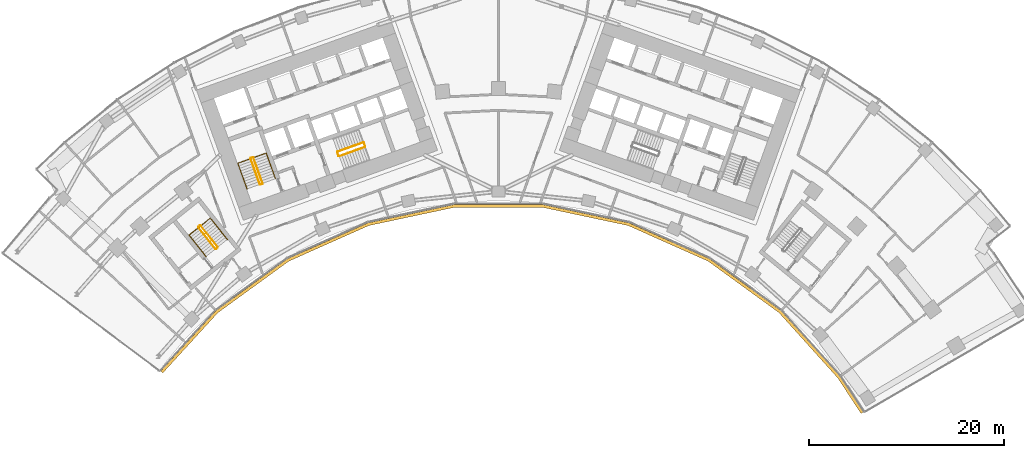
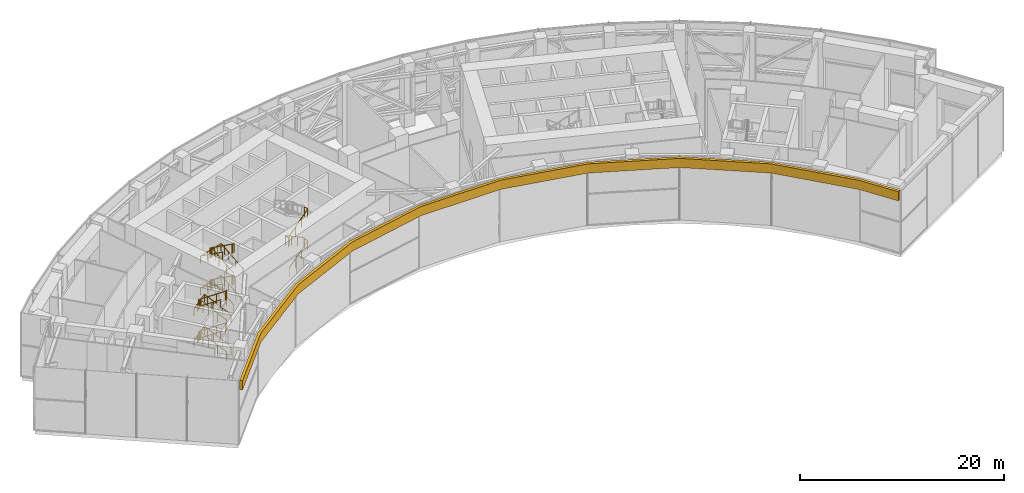
# One storey, part 28 of 30: 15 railings, 1 covering.
"""IFC4 building model written with IfcOpenShell, lengths in metres."""

from ifc_helpers import new_model, si_unit, direction, frame, origin, origin_2d, place, context, subcontext, project, spatial, polyline, circle, outline, extrude, material, layer, layer_set, type_object, element, save


model = new_model("IFC4")

# Units and contexts
model_context = context("Model", 3, precision=1e-05, world=origin(), true_north=direction((0.0, 1.0)))
body_context = subcontext(model_context, "Body", "Model", "MODEL_VIEW")
ifc_project = project(units=[si_unit("LENGTHUNIT", "METRE"), si_unit("AREAUNIT", "SQUARE_METRE"), si_unit("VOLUMEUNIT", "CUBIC_METRE"), si_unit("PLANEANGLEUNIT", "RADIAN"), si_unit("MASSUNIT", "GRAM", prefix="KILO")], contexts=[model_context])

# Site, building, storey
site_placement = place(None, origin())
site = spatial("IfcSite", under=ifc_project, at=site_placement, CompositionType="ELEMENT")
building_placement = place(site_placement, origin())
building = spatial("IfcBuilding", under=site, at=building_placement, Name="Stone Belt Terrace Tower", CompositionType="ELEMENT")
storey_placement = place(building_placement, frame((0.0, 0.0, 136.39990234375)))
storey = spatial("IfcBuildingStorey", under=building, at=storey_placement, Name="L33", CompositionType="ELEMENT", Elevation=136.39990234375)

# Railings
ifc_material_1 = material(Name="Structural steel C345", Category="steel")
railing_type_1 = type_object("IfcRailingType", Name="Stair guard 1100", PredefinedType="GUARDRAIL", material=ifc_material_1)
railing_1_placement = place(storey_placement, frame((-24.2119140625, 45.276123046875, 0.1728515625)))
element("IfcRailing", 1, at=railing_1_placement, inside=storey, type_object=railing_type_1, Name="L33 ST1A stair guard 1", PredefinedType="GUARDRAIL", context=body_context, shape_type="SweptSolid", body=[
    extrude(circle(Radius=0.02392578125, at=origin_2d()), frame((0.0, 0.0, 1.076171875), z_axis=(-0.288228637646, 0.800791768495, 0.525030280985), x_axis=(-0.940908529223, -0.338660803216, 0.0)), (0.0, 0.0, 1.0), 3.289794921875),
    extrude(circle(Radius=0.02392578125, at=origin_2d()), frame((-0.9482421875, 2.634521484375, 2.80322265625), z_axis=(-0.905209821074, 0.424964916, 0.0), x_axis=(-0.424964916, -0.905209821074, 0.0)), (0.0, 0.0, 1.0), 0.070556640625),
    extrude(circle(Radius=0.02392578125, at=origin_2d()), frame((-1.01220703125, 2.66455078125, 2.80322265625), z_axis=(-0.941105063269, -0.338114270461, 0.0), x_axis=(0.338114270461, -0.941105063269, 0.0)), (0.0, 0.0, 1.0), 0.199951171875),
    extrude(circle(Radius=0.02099609375, at=origin_2d()), origin(), (0.0, 0.0, 1.0), 1.052001953125),
    extrude(circle(Radius=0.02099609375, at=origin_2d()), frame((-0.316162109375, 0.878173828125, 0.57568359375)), (0.0, 0.0, 1.0), 1.052001953125),
    extrude(circle(Radius=0.02099609375, at=origin_2d()), frame((-0.632080078125, 1.75634765625, 1.151611328125)), (0.0, 0.0, 1.0), 1.052001953125),
    extrude(circle(Radius=0.02099609375, at=origin_2d()), frame((-0.9482421875, 2.634521484375, 1.727294921875)), (0.0, 0.0, 1.0), 1.052001953125),
    extrude(circle(Radius=0.02099609375, at=origin_2d()), frame((-1.01220703125, 2.66455078125, 1.727294921875)), (0.0, 0.0, 1.0), 1.052001953125),
    extrude(circle(Radius=0.02099609375, at=origin_2d()), frame((-1.200439453125, 2.596923828125, 1.727294921875)), (0.0, 0.0, 1.0), 1.052001953125),
])
railing_2_placement = place(storey_placement, frame((-25.4423828125, 47.80908203125, 2.07275390625)))
element("IfcRailing", 2, at=railing_2_placement, inside=storey, type_object=railing_type_1, Name="L33 ST1A stair guard 2", PredefinedType="GUARDRAIL", context=body_context, shape_type="SweptSolid", body=[
    extrude(circle(Radius=0.02392578125, at=origin_2d()), frame((0.0, 0.0, 1.076171875), z_axis=(0.288228637646, -0.800791768495, 0.525030280985), x_axis=(0.940908529223, 0.338660803216, 0.0)), (0.0, 0.0, 1.0), 3.289794921875),
    extrude(circle(Radius=0.02392578125, at=origin_2d()), frame((0.9482421875, -2.634521484375, 2.80322265625), z_axis=(0.903878284585, -0.427789722475, 0.0), x_axis=(0.427789722475, 0.903878284585, 0.0)), (0.0, 0.0, 1.0), 0.07080078125),
    extrude(circle(Radius=0.02392578125, at=origin_2d()), frame((1.01220703125, -2.664794921875, 2.80322265625), z_axis=(0.940575576748, 0.339584429008, 0.0), x_axis=(-0.339584429008, 0.940575576748, 0.0)), (0.0, 0.0, 1.0), 0.199951171875),
    extrude(circle(Radius=0.02099609375, at=origin_2d()), origin(), (0.0, 0.0, 1.0), 1.052001953125),
    extrude(circle(Radius=0.02099609375, at=origin_2d()), frame((0.316162109375, -0.878173828125, 0.57568359375)), (0.0, 0.0, 1.0), 1.052001953125),
    extrude(circle(Radius=0.02099609375, at=origin_2d()), frame((0.632080078125, -1.75634765625, 1.151611328125)), (0.0, 0.0, 1.0), 1.052001953125),
    extrude(circle(Radius=0.02099609375, at=origin_2d()), frame((0.9482421875, -2.634521484375, 1.727294921875)), (0.0, 0.0, 1.0), 1.052001953125),
    extrude(circle(Radius=0.02099609375, at=origin_2d()), frame((1.01220703125, -2.664794921875, 1.727294921875)), (0.0, 0.0, 1.0), 1.052001953125),
    extrude(circle(Radius=0.02099609375, at=origin_2d()), frame((1.2001953125, -2.596923828125, 1.727294921875)), (0.0, 0.0, 1.0), 1.052001953125),
])
railing_3_placement = place(storey_placement, frame((-24.2119140625, 45.276123046875, 3.972900390625)))
element("IfcRailing", 3, at=railing_3_placement, inside=storey, type_object=railing_type_1, Name="L33 ST1A stair guard 3", PredefinedType="GUARDRAIL", context=body_context, shape_type="SweptSolid", body=[
    extrude(circle(Radius=0.02392578125, at=origin_2d()), frame((0.0, 0.0, 1.076171875), z_axis=(-0.288228637646, 0.800791768495, 0.525030280985), x_axis=(-0.940908529223, -0.338660803216, 0.0)), (0.0, 0.0, 1.0), 3.289794921875),
    extrude(circle(Radius=0.02392578125, at=origin_2d()), frame((-0.9482421875, 2.634521484375, 2.80322265625), z_axis=(-0.905209821074, 0.424964916, 0.0), x_axis=(-0.424964916, -0.905209821074, 0.0)), (0.0, 0.0, 1.0), 0.070556640625),
    extrude(circle(Radius=0.02392578125, at=origin_2d()), frame((-1.01220703125, 2.66455078125, 2.80322265625), z_axis=(-0.941105063269, -0.338114270461, 0.0), x_axis=(0.338114270461, -0.941105063269, 0.0)), (0.0, 0.0, 1.0), 0.199951171875),
    extrude(circle(Radius=0.02099609375, at=origin_2d()), origin(), (0.0, 0.0, 1.0), 1.052001953125),
    extrude(circle(Radius=0.02099609375, at=origin_2d()), frame((-0.316162109375, 0.878173828125, 0.57568359375)), (0.0, 0.0, 1.0), 1.052001953125),
    extrude(circle(Radius=0.02099609375, at=origin_2d()), frame((-0.632080078125, 1.75634765625, 1.151611328125)), (0.0, 0.0, 1.0), 1.052001953125),
    extrude(circle(Radius=0.02099609375, at=origin_2d()), frame((-0.9482421875, 2.634521484375, 1.727294921875)), (0.0, 0.0, 1.0), 1.052001953125),
    extrude(circle(Radius=0.02099609375, at=origin_2d()), frame((-1.01220703125, 2.66455078125, 1.727294921875)), (0.0, 0.0, 1.0), 1.052001953125),
    extrude(circle(Radius=0.02099609375, at=origin_2d()), frame((-1.200439453125, 2.596923828125, 1.727294921875)), (0.0, 0.0, 1.0), 1.052001953125),
])
railing_4_placement = place(storey_placement, frame((-25.4423828125, 47.80908203125, 5.872802734375)))
element("IfcRailing", 4, at=railing_4_placement, inside=storey, type_object=railing_type_1, Name="L33 ST1A stair guard 4", PredefinedType="GUARDRAIL", context=body_context, shape_type="SweptSolid", body=[
    extrude(circle(Radius=0.02392578125, at=origin_2d()), frame((0.0, 0.0, 1.076171875), z_axis=(0.288228637646, -0.800791768495, 0.525030280985), x_axis=(0.940908529223, 0.338660803216, 0.0)), (0.0, 0.0, 1.0), 3.289794921875),
    extrude(circle(Radius=0.02392578125, at=origin_2d()), frame((0.9482421875, -2.634521484375, 2.80322265625), z_axis=(0.903878284585, -0.427789722475, 0.0), x_axis=(0.427789722475, 0.903878284585, 0.0)), (0.0, 0.0, 1.0), 0.07080078125),
    extrude(circle(Radius=0.02392578125, at=origin_2d()), frame((1.01220703125, -2.664794921875, 2.80322265625), z_axis=(0.940575576748, 0.339584429008, 0.0), x_axis=(-0.339584429008, 0.940575576748, 0.0)), (0.0, 0.0, 1.0), 0.199951171875),
    extrude(circle(Radius=0.02099609375, at=origin_2d()), origin(), (0.0, 0.0, 1.0), 1.052001953125),
    extrude(circle(Radius=0.02099609375, at=origin_2d()), frame((0.316162109375, -0.878173828125, 0.57568359375)), (0.0, 0.0, 1.0), 1.052001953125),
    extrude(circle(Radius=0.02099609375, at=origin_2d()), frame((0.632080078125, -1.75634765625, 1.151611328125)), (0.0, 0.0, 1.0), 1.052001953125),
    extrude(circle(Radius=0.02099609375, at=origin_2d()), frame((0.9482421875, -2.634521484375, 1.727294921875)), (0.0, 0.0, 1.0), 1.052001953125),
    extrude(circle(Radius=0.02099609375, at=origin_2d()), frame((1.01220703125, -2.664794921875, 1.727294921875)), (0.0, 0.0, 1.0), 1.052001953125),
    extrude(circle(Radius=0.02099609375, at=origin_2d()), frame((1.2001953125, -2.596923828125, 1.727294921875)), (0.0, 0.0, 1.0), 1.052001953125),
])
railing_5_placement = place(storey_placement, frame((-16.33837890625, 48.056640625, 0.1728515625)))
element("IfcRailing", 5, at=railing_5_placement, inside=storey, type_object=railing_type_1, Name="L33 ST2A stair guard 1", PredefinedType="GUARDRAIL", context=body_context, shape_type="SweptSolid", body=[
    extrude(circle(Radius=0.02392578125, at=origin_2d()), frame((0.0, 0.0, 1.076171875), z_axis=(0.800808895155, 0.288160591223, 0.52504150989), x_axis=(-0.338583606334, 0.940936311087, 0.0)), (0.0, 0.0, 1.0), 3.289794921875),
    extrude(circle(Radius=0.02392578125, at=origin_2d()), frame((2.634521484375, 0.947998046875, 2.80322265625), z_axis=(0.427789722475, 0.903878284585, 0.0), x_axis=(-0.903878284585, 0.427789722475, 0.0)), (0.0, 0.0, 1.0), 0.07080078125),
    extrude(circle(Radius=0.02392578125, at=origin_2d()), frame((2.664794921875, 1.011962890625, 2.80322265625), z_axis=(-0.338654645739, 0.940910745459, 0.0), x_axis=(-0.940910745459, -0.338654645739, 0.0)), (0.0, 0.0, 1.0), 0.400146484375),
    extrude(circle(Radius=0.02099609375, at=origin_2d()), origin(), (0.0, 0.0, 1.0), 1.052001953125),
    extrude(circle(Radius=0.02099609375, at=origin_2d()), frame((0.878173828125, 0.31591796875, 0.57568359375)), (0.0, 0.0, 1.0), 1.052001953125),
    extrude(circle(Radius=0.02099609375, at=origin_2d()), frame((1.75634765625, 0.632080078125, 1.151611328125)), (0.0, 0.0, 1.0), 1.052001953125),
    extrude(circle(Radius=0.02099609375, at=origin_2d()), frame((2.634521484375, 0.947998046875, 1.727294921875)), (0.0, 0.0, 1.0), 1.052001953125),
    extrude(circle(Radius=0.02099609375, at=origin_2d()), frame((2.664794921875, 1.011962890625, 1.727294921875)), (0.0, 0.0, 1.0), 1.052001953125),
    extrude(circle(Radius=0.02099609375, at=origin_2d()), frame((2.529296875, 1.388427734375, 1.727294921875)), (0.0, 0.0, 1.0), 1.052001953125),
])
railing_6_placement = place(storey_placement, frame((-13.873046875, 49.47509765625, 2.07275390625)))
element("IfcRailing", 6, at=railing_6_placement, inside=storey, type_object=railing_type_1, Name="L33 ST2A stair guard 2", PredefinedType="GUARDRAIL", context=body_context, shape_type="SweptSolid", body=[
    extrude(circle(Radius=0.02392578125, at=origin_2d()), frame((0.0, 0.0, 1.076171875), z_axis=(-0.800808895155, -0.288160591223, 0.52504150989), x_axis=(0.338583606334, -0.940936311087, 0.0)), (0.0, 0.0, 1.0), 3.289794921875),
    extrude(circle(Radius=0.02392578125, at=origin_2d()), frame((-2.634521484375, -0.947998046875, 2.80322265625), z_axis=(-0.427789722475, -0.903878284585, 0.0), x_axis=(0.903878284585, -0.427789722475, 0.0)), (0.0, 0.0, 1.0), 0.07080078125),
    extrude(circle(Radius=0.02392578125, at=origin_2d()), frame((-2.664794921875, -1.011962890625, 2.80322265625), z_axis=(0.338654645739, -0.940910745459, 0.0), x_axis=(0.940910745459, 0.338654645739, 0.0)), (0.0, 0.0, 1.0), 0.400146484375),
    extrude(circle(Radius=0.02099609375, at=origin_2d()), origin(), (0.0, 0.0, 1.0), 1.052001953125),
    extrude(circle(Radius=0.02099609375, at=origin_2d()), frame((-0.878173828125, -0.31591796875, 0.57568359375)), (0.0, 0.0, 1.0), 1.052001953125),
    extrude(circle(Radius=0.02099609375, at=origin_2d()), frame((-1.75634765625, -0.632080078125, 1.151611328125)), (0.0, 0.0, 1.0), 1.052001953125),
    extrude(circle(Radius=0.02099609375, at=origin_2d()), frame((-2.634521484375, -0.947998046875, 1.727294921875)), (0.0, 0.0, 1.0), 1.052001953125),
    extrude(circle(Radius=0.02099609375, at=origin_2d()), frame((-2.664794921875, -1.011962890625, 1.727294921875)), (0.0, 0.0, 1.0), 1.052001953125),
    extrude(circle(Radius=0.02099609375, at=origin_2d()), frame((-2.529296875, -1.388427734375, 1.727294921875)), (0.0, 0.0, 1.0), 1.052001953125),
])
railing_7_placement = place(storey_placement, frame((-16.33837890625, 48.056640625, 3.972900390625)))
element("IfcRailing", 7, at=railing_7_placement, inside=storey, type_object=railing_type_1, Name="L33 ST2A stair guard 3", PredefinedType="GUARDRAIL", context=body_context, shape_type="SweptSolid", body=[
    extrude(circle(Radius=0.02392578125, at=origin_2d()), frame((0.0, 0.0, 1.076171875), z_axis=(0.800808895155, 0.288160591223, 0.52504150989), x_axis=(-0.338583606334, 0.940936311087, 0.0)), (0.0, 0.0, 1.0), 3.289794921875),
    extrude(circle(Radius=0.02392578125, at=origin_2d()), frame((2.634521484375, 0.947998046875, 2.80322265625), z_axis=(0.427789722475, 0.903878284585, 0.0), x_axis=(-0.903878284585, 0.427789722475, 0.0)), (0.0, 0.0, 1.0), 0.07080078125),
    extrude(circle(Radius=0.02392578125, at=origin_2d()), frame((2.664794921875, 1.011962890625, 2.80322265625), z_axis=(-0.338654645739, 0.940910745459, 0.0), x_axis=(-0.940910745459, -0.338654645739, 0.0)), (0.0, 0.0, 1.0), 0.400146484375),
    extrude(circle(Radius=0.02099609375, at=origin_2d()), origin(), (0.0, 0.0, 1.0), 1.052001953125),
    extrude(circle(Radius=0.02099609375, at=origin_2d()), frame((0.878173828125, 0.31591796875, 0.57568359375)), (0.0, 0.0, 1.0), 1.052001953125),
    extrude(circle(Radius=0.02099609375, at=origin_2d()), frame((1.75634765625, 0.632080078125, 1.151611328125)), (0.0, 0.0, 1.0), 1.052001953125),
    extrude(circle(Radius=0.02099609375, at=origin_2d()), frame((2.634521484375, 0.947998046875, 1.727294921875)), (0.0, 0.0, 1.0), 1.052001953125),
    extrude(circle(Radius=0.02099609375, at=origin_2d()), frame((2.664794921875, 1.011962890625, 1.727294921875)), (0.0, 0.0, 1.0), 1.052001953125),
    extrude(circle(Radius=0.02099609375, at=origin_2d()), frame((2.529296875, 1.388427734375, 1.727294921875)), (0.0, 0.0, 1.0), 1.052001953125),
])
railing_8_placement = place(storey_placement, frame((-28.814208984375, 38.734619140625, 0.1728515625)))
element("IfcRailing", 8, at=railing_8_placement, inside=storey, type_object=railing_type_1, Name="L33 ST3A stair guard 1", PredefinedType="GUARDRAIL", context=body_context, shape_type="SweptSolid", body=[
    extrude(circle(Radius=0.02392578125, at=origin_2d()), frame((0.0, 0.0, 1.076171875), z_axis=(-0.530306321799, 0.665665785969, 0.525037395288), x_axis=(-0.782143211408, -0.623098705543, 0.0)), (0.0, 0.0, 1.0), 3.289794921875),
    extrude(circle(Radius=0.02392578125, at=origin_2d()), frame((-1.74462890625, 2.18994140625, 2.80322265625), z_axis=(-0.993883734674, 0.110431526075, 0.0), x_axis=(-0.110431526075, -0.993883734674, 0.0)), (0.0, 0.0, 1.0), 0.07080078125),
    extrude(circle(Radius=0.02392578125, at=origin_2d()), frame((-1.81494140625, 2.19775390625, 2.80322265625), z_axis=(-0.782533463299, -0.622608527742, 0.0), x_axis=(0.622608527742, -0.782533463299, 0.0)), (0.0, 0.0, 1.0), 0.199951171875),
    extrude(circle(Radius=0.02099609375, at=origin_2d()), origin(), (0.0, 0.0, 1.0), 1.052001953125),
    extrude(circle(Radius=0.02099609375, at=origin_2d()), frame((-0.58154296875, 0.72998046875, 0.57568359375)), (0.0, 0.0, 1.0), 1.052001953125),
    extrude(circle(Radius=0.02099609375, at=origin_2d()), frame((-1.1630859375, 1.4599609375, 1.151611328125)), (0.0, 0.0, 1.0), 1.052001953125),
    extrude(circle(Radius=0.02099609375, at=origin_2d()), frame((-1.74462890625, 2.18994140625, 1.727294921875)), (0.0, 0.0, 1.0), 1.052001953125),
    extrude(circle(Radius=0.02099609375, at=origin_2d()), frame((-1.81494140625, 2.19775390625, 1.727294921875)), (0.0, 0.0, 1.0), 1.052001953125),
    extrude(circle(Radius=0.02099609375, at=origin_2d()), frame((-1.971435546875, 2.0732421875, 1.727294921875)), (0.0, 0.0, 1.0), 1.052001953125),
])
railing_9_placement = place(storey_placement, frame((-30.793701171875, 40.737548828125, 2.07275390625)))
element("IfcRailing", 9, at=railing_9_placement, inside=storey, type_object=railing_type_1, Name="L33 ST3A stair guard 2", PredefinedType="GUARDRAIL", context=body_context, shape_type="SweptSolid", body=[
    extrude(circle(Radius=0.02392578125, at=origin_2d()), frame((0.0, 0.0, 1.076171875), z_axis=(0.530359659125, -0.665639588968, 0.525016732659), x_axis=(0.782100716982, 0.62315204284, 0.0)), (0.0, 0.0, 1.0), 3.2900390625),
    extrude(circle(Radius=0.02392578125, at=origin_2d()), frame((1.744873046875, -2.18994140625, 2.80322265625), z_axis=(0.993499272973, -0.113838458361, 0.0), x_axis=(0.113838458361, 0.993499272973, 0.0)), (0.0, 0.0, 1.0), 0.07080078125),
    extrude(circle(Radius=0.02392578125, at=origin_2d()), frame((1.815185546875, -2.197998046875, 2.80322265625), z_axis=(0.781464082609, 0.623950228458, 0.0), x_axis=(-0.623950228458, 0.781464082609, 0.0)), (0.0, 0.0, 1.0), 0.199951171875),
    extrude(circle(Radius=0.02099609375, at=origin_2d()), origin(), (0.0, 0.0, 1.0), 1.052001953125),
    extrude(circle(Radius=0.02099609375, at=origin_2d()), frame((0.58154296875, -0.72998046875, 0.57568359375)), (0.0, 0.0, 1.0), 1.052001953125),
    extrude(circle(Radius=0.02099609375, at=origin_2d()), frame((1.163330078125, -1.4599609375, 1.151611328125)), (0.0, 0.0, 1.0), 1.052001953125),
    extrude(circle(Radius=0.02099609375, at=origin_2d()), frame((1.744873046875, -2.18994140625, 1.727294921875)), (0.0, 0.0, 1.0), 1.052001953125),
    extrude(circle(Radius=0.02099609375, at=origin_2d()), frame((1.815185546875, -2.197998046875, 1.727294921875)), (0.0, 0.0, 1.0), 1.052001953125),
    extrude(circle(Radius=0.02099609375, at=origin_2d()), frame((1.971435546875, -2.0732421875, 1.727294921875)), (0.0, 0.0, 1.0), 1.052001953125),
])
railing_10_placement = place(storey_placement, frame((-28.814208984375, 38.734619140625, 3.972900390625)))
element("IfcRailing", 10, at=railing_10_placement, inside=storey, type_object=railing_type_1, Name="L33 ST3A stair guard 3", PredefinedType="GUARDRAIL", context=body_context, shape_type="SweptSolid", body=[
    extrude(circle(Radius=0.02392578125, at=origin_2d()), frame((0.0, 0.0, 1.076171875), z_axis=(-0.530306321799, 0.665665785969, 0.525037395288), x_axis=(-0.782143211408, -0.623098705543, 0.0)), (0.0, 0.0, 1.0), 3.289794921875),
    extrude(circle(Radius=0.02392578125, at=origin_2d()), frame((-1.74462890625, 2.18994140625, 2.80322265625), z_axis=(-0.993883734674, 0.110431526075, 0.0), x_axis=(-0.110431526075, -0.993883734674, 0.0)), (0.0, 0.0, 1.0), 0.07080078125),
    extrude(circle(Radius=0.02392578125, at=origin_2d()), frame((-1.81494140625, 2.19775390625, 2.80322265625), z_axis=(-0.782533463299, -0.622608527742, 0.0), x_axis=(0.622608527742, -0.782533463299, 0.0)), (0.0, 0.0, 1.0), 0.199951171875),
    extrude(circle(Radius=0.02099609375, at=origin_2d()), origin(), (0.0, 0.0, 1.0), 1.052001953125),
    extrude(circle(Radius=0.02099609375, at=origin_2d()), frame((-0.58154296875, 0.72998046875, 0.57568359375)), (0.0, 0.0, 1.0), 1.052001953125),
    extrude(circle(Radius=0.02099609375, at=origin_2d()), frame((-1.1630859375, 1.4599609375, 1.151611328125)), (0.0, 0.0, 1.0), 1.052001953125),
    extrude(circle(Radius=0.02099609375, at=origin_2d()), frame((-1.74462890625, 2.18994140625, 1.727294921875)), (0.0, 0.0, 1.0), 1.052001953125),
    extrude(circle(Radius=0.02099609375, at=origin_2d()), frame((-1.81494140625, 2.19775390625, 1.727294921875)), (0.0, 0.0, 1.0), 1.052001953125),
    extrude(circle(Radius=0.02099609375, at=origin_2d()), frame((-1.971435546875, 2.0732421875, 1.727294921875)), (0.0, 0.0, 1.0), 1.052001953125),
])
railing_11_placement = place(storey_placement, frame((-30.793701171875, 40.737548828125, 5.872802734375)))
element("IfcRailing", 11, at=railing_11_placement, inside=storey, type_object=railing_type_1, Name="L33 ST3A stair guard 4", PredefinedType="GUARDRAIL", context=body_context, shape_type="SweptSolid", body=[
    extrude(circle(Radius=0.02392578125, at=origin_2d()), frame((0.0, 0.0, 1.076171875), z_axis=(0.530359659125, -0.665639588968, 0.525016732659), x_axis=(0.782100716982, 0.62315204284, 0.0)), (0.0, 0.0, 1.0), 3.2900390625),
    extrude(circle(Radius=0.02392578125, at=origin_2d()), frame((1.744873046875, -2.18994140625, 2.80322265625), z_axis=(0.993499272973, -0.113838458361, 0.0), x_axis=(0.113838458361, 0.993499272973, 0.0)), (0.0, 0.0, 1.0), 0.07080078125),
    extrude(circle(Radius=0.02392578125, at=origin_2d()), frame((1.815185546875, -2.197998046875, 2.80322265625), z_axis=(0.781464082609, 0.623950228458, 0.0), x_axis=(-0.623950228458, 0.781464082609, 0.0)), (0.0, 0.0, 1.0), 0.199951171875),
    extrude(circle(Radius=0.02099609375, at=origin_2d()), origin(), (0.0, 0.0, 1.0), 1.052001953125),
    extrude(circle(Radius=0.02099609375, at=origin_2d()), frame((0.58154296875, -0.72998046875, 0.57568359375)), (0.0, 0.0, 1.0), 1.052001953125),
    extrude(circle(Radius=0.02099609375, at=origin_2d()), frame((1.163330078125, -1.4599609375, 1.151611328125)), (0.0, 0.0, 1.0), 1.052001953125),
    extrude(circle(Radius=0.02099609375, at=origin_2d()), frame((1.744873046875, -2.18994140625, 1.727294921875)), (0.0, 0.0, 1.0), 1.052001953125),
    extrude(circle(Radius=0.02099609375, at=origin_2d()), frame((1.815185546875, -2.197998046875, 1.727294921875)), (0.0, 0.0, 1.0), 1.052001953125),
    extrude(circle(Radius=0.02099609375, at=origin_2d()), frame((1.971435546875, -2.0732421875, 1.727294921875)), (0.0, 0.0, 1.0), 1.052001953125),
])
railing_type_2 = type_object("IfcRailingType", Name="Stair handrail 900", PredefinedType="HANDRAIL", material=ifc_material_1)
railing_12_placement = place(storey_placement, frame((-22.894775390625, 45.750244140625, 0.1728515625)))
element("IfcRailing", 12, at=railing_12_placement, inside=storey, type_object=railing_type_2, Name="L33 ST1A stair handrail 1", PredefinedType="HANDRAIL", context=body_context, shape_type="SweptSolid", body=[
    extrude(circle(Radius=0.02392578125, at=origin_2d()), frame((0.0, 0.0, 0.8759765625), z_axis=(-0.288160591223, 0.800808895155, 0.52504150989), x_axis=(-0.940936311087, -0.338583606334, 0.0)), (0.0, 0.0, 1.0), 3.289794921875),
    extrude(circle(Radius=0.02392578125, at=origin_2d()), frame((-0.947998046875, 2.634521484375, 2.60302734375), z_axis=(-0.939464517435, -0.338106580597, 0.055591012205), x_axis=(0.338630230244, -0.940919532779, 0.0)), (0.0, 0.0, 1.0), 3.10498046875),
    extrude(circle(Radius=0.02392578125, at=origin_2d()), frame((-3.864990234375, 1.584716796875, 2.77587890625), z_axis=(0.288228637646, -0.800791768495, 0.525030280985), x_axis=(0.940908529223, 0.338660803216, 0.0)), (0.0, 0.0, 1.0), 3.289794921875),
    extrude(circle(Radius=0.02099609375, at=origin_2d()), origin(), (0.0, 0.0, 1.0), 0.851806640625),
    extrude(circle(Radius=0.02099609375, at=origin_2d()), frame((-0.31591796875, 0.878173828125, 0.57568359375)), (0.0, 0.0, 1.0), 0.851806640625),
    extrude(circle(Radius=0.02099609375, at=origin_2d()), frame((-0.632080078125, 1.75634765625, 1.151611328125)), (0.0, 0.0, 1.0), 0.851806640625),
    extrude(circle(Radius=0.02099609375, at=origin_2d()), frame((-0.947998046875, 2.634521484375, 1.727294921875)), (0.0, 0.0, 1.0), 0.851806640625),
    extrude(circle(Radius=0.02099609375, at=origin_2d()), frame((-1.92041015625, 2.28466796875, 1.784912109375)), (0.0, 0.0, 1.0), 0.851806640625),
    extrude(circle(Radius=0.02099609375, at=origin_2d()), frame((-2.892578125, 1.9345703125, 1.84228515625)), (0.0, 0.0, 1.0), 0.851806640625),
    extrude(circle(Radius=0.02099609375, at=origin_2d()), frame((-3.864990234375, 1.584716796875, 1.89990234375)), (0.0, 0.0, 1.0), 0.851806640625),
    extrude(circle(Radius=0.02099609375, at=origin_2d()), frame((-3.548828125, 0.70654296875, 2.4755859375)), (0.0, 0.0, 1.0), 0.851806640625),
    extrude(circle(Radius=0.02099609375, at=origin_2d()), frame((-3.23291015625, -0.171630859375, 3.051513671875)), (0.0, 0.0, 1.0), 0.851806640625),
    extrude(circle(Radius=0.02099609375, at=origin_2d()), frame((-2.916748046875, -1.0498046875, 3.627197265625)), (0.0, 0.0, 1.0), 0.851806640625),
])
railing_13_placement = place(storey_placement, frame((-22.894775390625, 45.750244140625, 3.972900390625)))
element("IfcRailing", 13, at=railing_13_placement, inside=storey, type_object=railing_type_2, Name="L33 ST1A stair handrail 2", PredefinedType="HANDRAIL", context=body_context, shape_type="SweptSolid", body=[
    extrude(circle(Radius=0.02392578125, at=origin_2d()), frame((0.0, 0.0, 0.8759765625), z_axis=(-0.288160591223, 0.800808895155, 0.52504150989), x_axis=(-0.940936311087, -0.338583606334, 0.0)), (0.0, 0.0, 1.0), 3.289794921875),
    extrude(circle(Radius=0.02392578125, at=origin_2d()), frame((-0.947998046875, 2.634521484375, 2.60302734375), z_axis=(-0.939464517435, -0.338106580597, 0.055591012205), x_axis=(0.338630230244, -0.940919532779, 0.0)), (0.0, 0.0, 1.0), 3.10498046875),
    extrude(circle(Radius=0.02392578125, at=origin_2d()), frame((-3.864990234375, 1.584716796875, 2.77587890625), z_axis=(0.288228637646, -0.800791768495, 0.525030280985), x_axis=(0.940908529223, 0.338660803216, 0.0)), (0.0, 0.0, 1.0), 3.289794921875),
    extrude(circle(Radius=0.02099609375, at=origin_2d()), origin(), (0.0, 0.0, 1.0), 0.851806640625),
    extrude(circle(Radius=0.02099609375, at=origin_2d()), frame((-0.31591796875, 0.878173828125, 0.57568359375)), (0.0, 0.0, 1.0), 0.851806640625),
    extrude(circle(Radius=0.02099609375, at=origin_2d()), frame((-0.632080078125, 1.75634765625, 1.151611328125)), (0.0, 0.0, 1.0), 0.851806640625),
    extrude(circle(Radius=0.02099609375, at=origin_2d()), frame((-0.947998046875, 2.634521484375, 1.727294921875)), (0.0, 0.0, 1.0), 0.851806640625),
    extrude(circle(Radius=0.02099609375, at=origin_2d()), frame((-1.92041015625, 2.28466796875, 1.784912109375)), (0.0, 0.0, 1.0), 0.851806640625),
    extrude(circle(Radius=0.02099609375, at=origin_2d()), frame((-2.892578125, 1.9345703125, 1.84228515625)), (0.0, 0.0, 1.0), 0.851806640625),
    extrude(circle(Radius=0.02099609375, at=origin_2d()), frame((-3.864990234375, 1.584716796875, 1.89990234375)), (0.0, 0.0, 1.0), 0.851806640625),
    extrude(circle(Radius=0.02099609375, at=origin_2d()), frame((-3.548828125, 0.70654296875, 2.4755859375)), (0.0, 0.0, 1.0), 0.851806640625),
    extrude(circle(Radius=0.02099609375, at=origin_2d()), frame((-3.23291015625, -0.171630859375, 3.051513671875)), (0.0, 0.0, 1.0), 0.851806640625),
    extrude(circle(Radius=0.02099609375, at=origin_2d()), frame((-2.916748046875, -1.0498046875, 3.627197265625)), (0.0, 0.0, 1.0), 0.851806640625),
])
railing_14_placement = place(storey_placement, frame((-27.836669921875, 39.513427734375, 0.1728515625)))
element("IfcRailing", 14, at=railing_14_placement, inside=storey, type_object=railing_type_2, Name="L33 ST3A stair handrail 1", PredefinedType="HANDRAIL", context=body_context, shape_type="SweptSolid", body=[
    extrude(circle(Radius=0.02392578125, at=origin_2d()), frame((0.0, 0.0, 0.8759765625), z_axis=(-0.530306321799, 0.665665785969, 0.525037395288), x_axis=(-0.782143211408, -0.623098705543, 0.0)), (0.0, 0.0, 1.0), 3.289794921875),
    extrude(circle(Radius=0.02392578125, at=origin_2d()), frame((-1.74462890625, 2.18994140625, 2.60302734375), z_axis=(-0.780661215256, -0.62191806513, 0.061530376721), x_axis=(0.623098705543, -0.782143211408, 0.0)), (0.0, 0.0, 1.0), 2.80517578125),
    extrude(circle(Radius=0.02392578125, at=origin_2d()), frame((-3.9345703125, 0.4453125, 2.77587890625), z_axis=(0.530306321799, -0.665665785969, 0.525037395288), x_axis=(0.782143211408, 0.623098705543, 0.0)), (0.0, 0.0, 1.0), 3.289794921875),
    extrude(circle(Radius=0.02099609375, at=origin_2d()), origin(), (0.0, 0.0, 1.0), 0.851806640625),
    extrude(circle(Radius=0.02099609375, at=origin_2d()), frame((-0.58154296875, 0.72998046875, 0.57568359375)), (0.0, 0.0, 1.0), 0.851806640625),
    extrude(circle(Radius=0.02099609375, at=origin_2d()), frame((-1.1630859375, 1.4599609375, 1.151611328125)), (0.0, 0.0, 1.0), 0.851806640625),
    extrude(circle(Radius=0.02099609375, at=origin_2d()), frame((-1.74462890625, 2.18994140625, 1.727294921875)), (0.0, 0.0, 1.0), 0.851806640625),
    extrude(circle(Radius=0.02099609375, at=origin_2d()), frame((-2.474609375, 1.6083984375, 1.784912109375)), (0.0, 0.0, 1.0), 0.851806640625),
    extrude(circle(Radius=0.02099609375, at=origin_2d()), frame((-3.20458984375, 1.02685546875, 1.84228515625)), (0.0, 0.0, 1.0), 0.851806640625),
    extrude(circle(Radius=0.02099609375, at=origin_2d()), frame((-3.9345703125, 0.4453125, 1.89990234375)), (0.0, 0.0, 1.0), 0.851806640625),
    extrude(circle(Radius=0.02099609375, at=origin_2d()), frame((-3.35302734375, -0.28466796875, 2.4755859375)), (0.0, 0.0, 1.0), 0.851806640625),
    extrude(circle(Radius=0.02099609375, at=origin_2d()), frame((-2.771484375, -1.0146484375, 3.051513671875)), (0.0, 0.0, 1.0), 0.851806640625),
    extrude(circle(Radius=0.02099609375, at=origin_2d()), frame((-2.18994140625, -1.74462890625, 3.627197265625)), (0.0, 0.0, 1.0), 0.851806640625),
])
railing_15_placement = place(storey_placement, frame((-27.836669921875, 39.513427734375, 3.972900390625)))
element("IfcRailing", 15, at=railing_15_placement, inside=storey, type_object=railing_type_2, Name="L33 ST3A stair handrail 2", PredefinedType="HANDRAIL", context=body_context, shape_type="SweptSolid", body=[
    extrude(circle(Radius=0.02392578125, at=origin_2d()), frame((0.0, 0.0, 0.8759765625), z_axis=(-0.530306321799, 0.665665785969, 0.525037395288), x_axis=(-0.782143211408, -0.623098705543, 0.0)), (0.0, 0.0, 1.0), 3.289794921875),
    extrude(circle(Radius=0.02392578125, at=origin_2d()), frame((-1.74462890625, 2.18994140625, 2.60302734375), z_axis=(-0.780661215256, -0.62191806513, 0.061530376721), x_axis=(0.623098705543, -0.782143211408, 0.0)), (0.0, 0.0, 1.0), 2.80517578125),
    extrude(circle(Radius=0.02392578125, at=origin_2d()), frame((-3.9345703125, 0.4453125, 2.77587890625), z_axis=(0.530306321799, -0.665665785969, 0.525037395288), x_axis=(0.782143211408, 0.623098705543, 0.0)), (0.0, 0.0, 1.0), 3.289794921875),
    extrude(circle(Radius=0.02099609375, at=origin_2d()), origin(), (0.0, 0.0, 1.0), 0.851806640625),
    extrude(circle(Radius=0.02099609375, at=origin_2d()), frame((-0.58154296875, 0.72998046875, 0.57568359375)), (0.0, 0.0, 1.0), 0.851806640625),
    extrude(circle(Radius=0.02099609375, at=origin_2d()), frame((-1.1630859375, 1.4599609375, 1.151611328125)), (0.0, 0.0, 1.0), 0.851806640625),
    extrude(circle(Radius=0.02099609375, at=origin_2d()), frame((-1.74462890625, 2.18994140625, 1.727294921875)), (0.0, 0.0, 1.0), 0.851806640625),
    extrude(circle(Radius=0.02099609375, at=origin_2d()), frame((-2.474609375, 1.6083984375, 1.784912109375)), (0.0, 0.0, 1.0), 0.851806640625),
    extrude(circle(Radius=0.02099609375, at=origin_2d()), frame((-3.20458984375, 1.02685546875, 1.84228515625)), (0.0, 0.0, 1.0), 0.851806640625),
    extrude(circle(Radius=0.02099609375, at=origin_2d()), frame((-3.9345703125, 0.4453125, 1.89990234375)), (0.0, 0.0, 1.0), 0.851806640625),
    extrude(circle(Radius=0.02099609375, at=origin_2d()), frame((-3.35302734375, -0.28466796875, 2.4755859375)), (0.0, 0.0, 1.0), 0.851806640625),
    extrude(circle(Radius=0.02099609375, at=origin_2d()), frame((-2.771484375, -1.0146484375, 3.051513671875)), (0.0, 0.0, 1.0), 0.851806640625),
    extrude(circle(Radius=0.02099609375, at=origin_2d()), frame((-2.18994140625, -1.74462890625, 3.627197265625)), (0.0, 0.0, 1.0), 0.851806640625),
])

# Covering
ifc_material_2 = material(Name="Terracotta coloured glazed ceramic", Category="masonry")
ifc_layer = layer(ifc_material_2, 0.300048828125)
ifc_layer_set = layer_set([ifc_layer], Name="Terracotta spandrel band 300 x 1100")
covering_type = type_object("IfcCoveringType", Name="Terracotta spandrel band 300 x 1100", PredefinedType="CLADDING", material=ifc_layer_set)
covering_placement = place(storey_placement, frame((0.0, 0.0, 6.5)))
element("IfcCovering", 16, at=covering_placement, inside=storey, type_object=covering_type, Name="BAND L33", PredefinedType="CLADDING", context=body_context, shape_type="SweptSolid", body=[
    extrude(outline(polyline([(-34.688720703125, 25.99951171875), (-29.0068359375, 32.21435546875), (-21.674560546875, 37.54150390625), (-13.395751953125, 41.2275390625), (-4.53125, 43.11181640625), (4.53125, 43.11181640625), (13.395751953125, 41.2275390625), (21.674560546875, 37.54150390625), (29.00634765625, 32.214599609375), (35.072998046875, 25.47705078125), (37.46875, 21.802001953125), (37.217529296875, 21.63818359375), (34.83447265625, 25.29345703125), (28.804443359375, 31.990478515625), (21.523681640625, 37.2802734375), (13.302490234375, 40.940673828125), (4.499755859375, 42.811767578125), (-4.499755859375, 42.811767578125), (-13.302490234375, 40.940673828125), (-21.523681640625, 37.2802734375), (-28.805908203125, 31.989501953125), (-34.46728515625, 25.797119140625), (-34.688720703125, 25.99951171875)])), origin(), (0.0, 0.0, 1.0), 1.10009765625),
])

save(model, "model.ifc")
